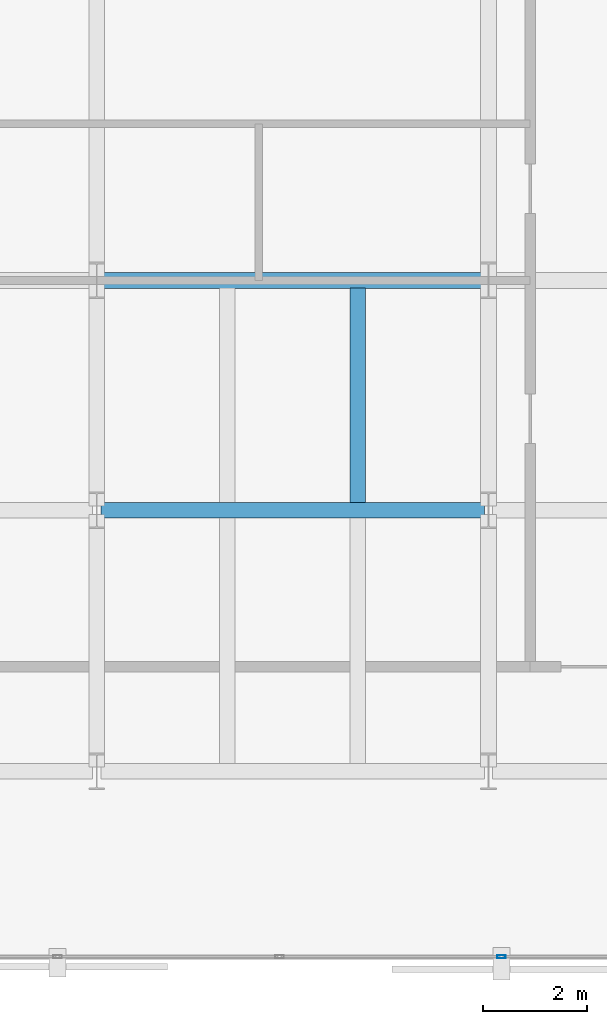
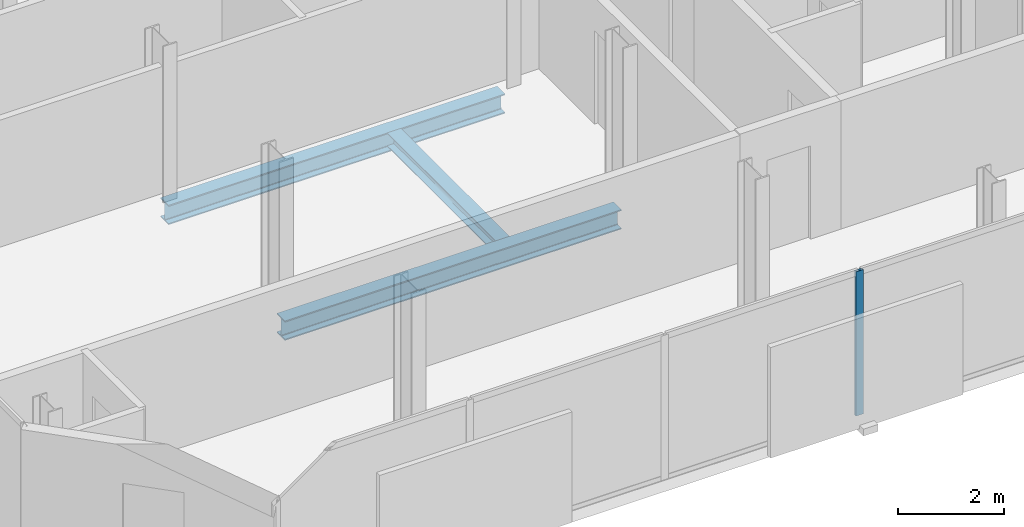
# One storey, part 6 of 32: 3 beams, 1 member, 1 element without a shape of its own.
"""IFC4 building model written with IfcOpenShell, lengths in metres."""

from ifc_helpers import new_model, si_unit, direction, frame, origin, origin_2d, place, context, subcontext, project, spatial, hollow_rectangle, i_section, extrude, material, layer, layer_set, material_profile, profile_set, type_object, element, aggregate, save


model = new_model("IFC4")

# Units and contexts
model_context = context("Model", 3, precision=1e-05, world=origin(), true_north=direction((0.0, 1.0)))
body_context = subcontext(model_context, "Body", "Model", "MODEL_VIEW")
ifc_project = project(units=[si_unit("LENGTHUNIT", "METRE"), si_unit("AREAUNIT", "SQUARE_METRE"), si_unit("VOLUMEUNIT", "CUBIC_METRE"), si_unit("PLANEANGLEUNIT", "RADIAN"), si_unit("MASSUNIT", "GRAM", prefix="KILO")], contexts=[model_context])

# Site, building, storey
site_placement = place(None, origin())
site = spatial("IfcSite", under=ifc_project, at=site_placement, CompositionType="ELEMENT")
building_placement = place(site_placement, origin())
building = spatial("IfcBuilding", under=site, at=building_placement, Name="Catumbela Crestline Tower", CompositionType="ELEMENT")
storey_placement = place(building_placement, frame((0.0, 0.0, 133.2)))
storey = spatial("IfcBuildingStorey", under=building, at=storey_placement, Name="L34", CompositionType="ELEMENT", Elevation=133.2)

# Beams
ifc_material_1 = material(Name="Structural steel S355J2", Category="steel")
ifc_material_profile_1 = material_profile(ifc_material_1, i_section(OverallWidth=0.3, OverallDepth=0.45, WebThickness=0.014, FlangeThickness=0.026, FilletRadius=0.027, at=origin_2d()), Name="HEB 450")
ifc_profile_set_1 = profile_set([ifc_material_profile_1], Name="Structural steel S355J2")
beam_type_1 = type_object("IfcBeamType", Name="BG-HEB450", PredefinedType="BEAM", material=ifc_profile_set_1)
for number, where, z_axis, x_axis, name in (
    (1, (8.58, 13.6, -0.485), (1.0, 0.0, 0.0), (0.0, 1.0, 0.0), "L34 Beam BM-L34-WEW47"),
    (2, (8.58, 18.0, -0.485), (1.0, 0.0, 0.0), (0.0, 1.0, 0.0), "L34 Beam BM-L34-WEW50"),
):
    element("IfcBeam", number, at=place(storey_placement, frame(where, z_axis=z_axis, x_axis=x_axis)), inside=storey, type_object=beam_type_1, Name=name, PredefinedType="BEAM", context=body_context, shape_type="SweptSolid", body=[
        extrude(i_section(OverallWidth=0.3, OverallDepth=0.45, WebThickness=0.014, FlangeThickness=0.026, FilletRadius=0.027, at=origin_2d()), origin(), (0.0, 0.0, 1.0), 7.34),
    ])
ifc_material_profile_2 = material_profile(ifc_material_1, i_section(OverallWidth=0.3, OverallDepth=0.31, WebThickness=0.009, FlangeThickness=0.0155, FilletRadius=0.027, at=origin_2d()), Name="HEA 320")
ifc_profile_set_2 = profile_set([ifc_material_profile_2], Name="Structural steel S355J2")
beam_type_2 = type_object("IfcBeamType", Name="BJ-HEA320", PredefinedType="JOIST", material=ifc_profile_set_2)
beam_placement = place(storey_placement, frame((13.5, 13.747, -0.415), z_axis=(0.0, 1.0, 0.0), x_axis=(-1.0, 0.0, 0.0)))
element("IfcBeam", 3, at=beam_placement, inside=storey, type_object=beam_type_2, Name="L34 Joist JS-L34-WG72", PredefinedType="JOIST", context=body_context, shape_type="SweptSolid", body=[
    extrude(i_section(OverallWidth=0.3, OverallDepth=0.31, WebThickness=0.009, FlangeThickness=0.0155, FilletRadius=0.027, at=origin_2d()), origin(), (0.0, 0.0, 1.0), 4.106),
])

# Curtain wall, member
ifc_material_2 = material(Name="Aluminium alloy AW-6060-T66", Category="aluminium")
ifc_layer = layer(ifc_material_2, 0.18, Name="Aluminium alloy AW-6060-T66")
ifc_layer_set = layer_set([ifc_layer], Name="Aluminium alloy AW-6060-T66")
curtain_wall_type = type_object("IfcCurtainWallType", Name="CWU-Z2", PredefinedType="USERDEFINED", material=ifc_layer_set)
curtain_wall_placement = place(storey_placement, origin())
curtain_wall = element("IfcCurtainWall", 4, at=curtain_wall_placement, inside=storey, type_object=curtain_wall_type, Name="L34 Unitised Curtain Wall CW-L34-E0S1", ObjectType="UNITISED", PredefinedType="USERDEFINED")
ifc_material_profile_3 = material_profile(ifc_material_2, hollow_rectangle(XDim=0.06, YDim=0.16, WallThickness=0.004, at=origin_2d()), Name="ALU 160x60x4")
ifc_profile_set_3 = profile_set([ifc_material_profile_3], Name="Aluminium alloy AW-6060-T66")
member_type = type_object("IfcMemberType", Name="MUL-160X60", PredefinedType="MULLION", material=ifc_profile_set_3)
member_placement = place(storey_placement, frame((16.25, 5.05, 0.0), z_axis=(0.0, 0.0, 1.0), x_axis=(0.0, 1.0, 0.0)))
member = element("IfcMember", 5, at=member_placement, type_object=member_type, Name="CWU-Z2 mullion 4", PredefinedType="MULLION", context=body_context, shape_type="SweptSolid", body=[
    extrude(hollow_rectangle(XDim=0.06, YDim=0.16, WallThickness=0.004, at=origin_2d()), origin(), (0.0, 0.0, 1.0), 3.33),
])
aggregate(curtain_wall, [member])

save(model, "model.ifc")
